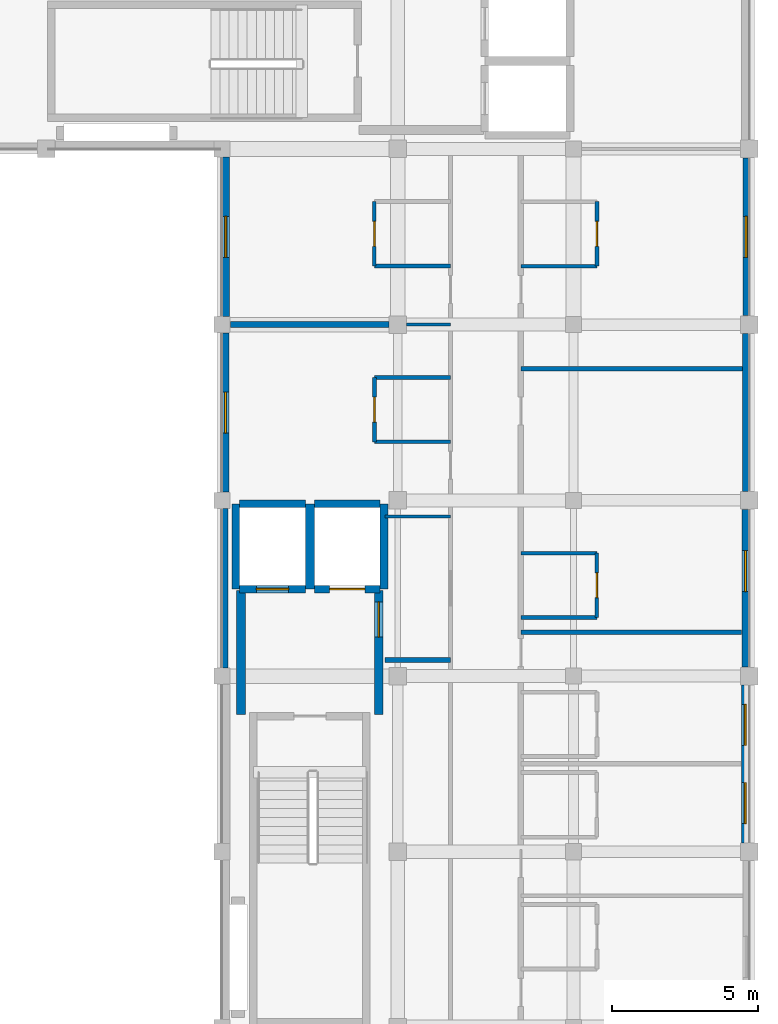
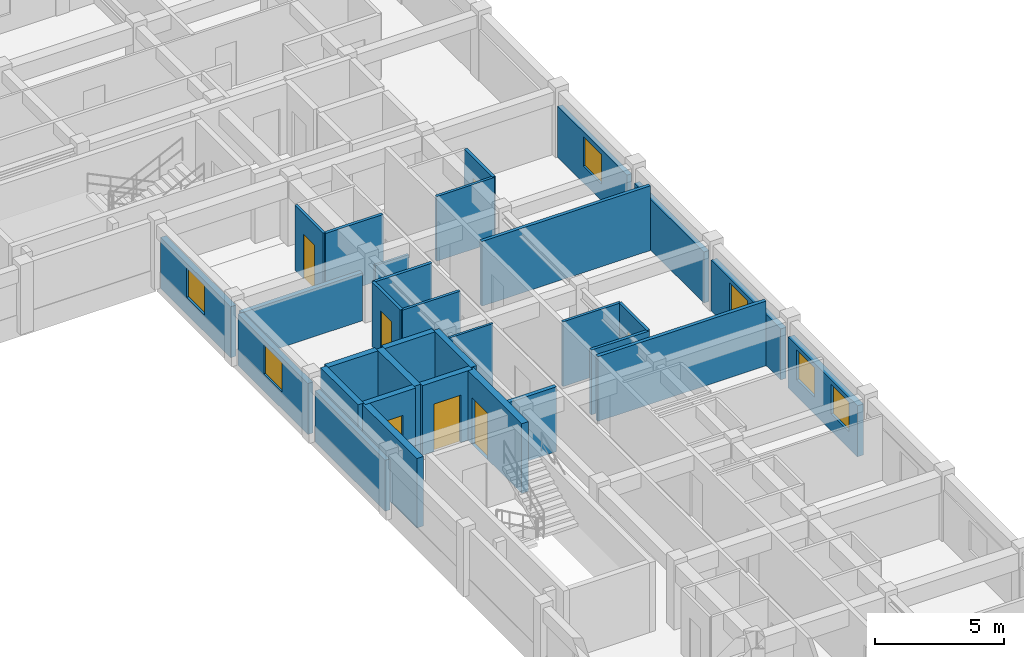
# One storey, part 7 of 21: 32 walls, 7 doors, 6 windows, 13 openings.
"""IFC4 building model written with IfcOpenShell, lengths in metres."""

from ifc_helpers import new_model, si_unit, direction, frame, frame_2d, origin, place, context, subcontext, project, spatial, rectangle, extrude, material, layer, layer_set, type_object, element, fill, save


model = new_model("IFC4")

# Units and contexts
model_context = context("Model", 3, precision=1e-05, world=origin(), true_north=direction((0.0, 1.0)))
body_context = subcontext(model_context, "Body", "Model", "MODEL_VIEW")
ifc_project = project(units=[si_unit("LENGTHUNIT", "METRE"), si_unit("AREAUNIT", "SQUARE_METRE"), si_unit("VOLUMEUNIT", "CUBIC_METRE"), si_unit("PLANEANGLEUNIT", "RADIAN"), si_unit("MASSUNIT", "GRAM", prefix="KILO"), si_unit("THERMODYNAMICTEMPERATUREUNIT", "KELVIN"), si_unit("POWERUNIT", "WATT")], contexts=[model_context])

# Site, building, storey
site_placement = place(None, origin())
site = spatial("IfcSite", under=ifc_project, at=site_placement, CompositionType="ELEMENT")
building_placement = place(site_placement, origin())
building = spatial("IfcBuilding", under=site, at=building_placement, Name="Phaisarnlok Congress Hotel", CompositionType="ELEMENT")
storey_placement = place(building_placement, frame((0.0, 0.0, 31.5)))
storey = spatial("IfcBuildingStorey", under=building, at=storey_placement, Name="L07", CompositionType="ELEMENT", Elevation=31.5)

# Wall, opening, window
ifc_material_1 = material(Name="Concrete C40/50", Category="concrete")
ifc_layer_1 = layer(ifc_material_1, 0.2099609375, Name="Concrete C40/50")
ifc_layer_set_1 = layer_set([ifc_layer_1], Name="Concrete C40/50")
wall_type_1 = type_object("IfcWallType", Name="WL-EXT-210", PredefinedType="SOLIDWALL", material=ifc_layer_set_1)
wall_1_placement = place(storey_placement, frame((179.89501953125, 102.304931640625, 0.0), z_axis=(0.0, 0.0, 1.0), x_axis=(0.0, 1.0, 0.0)))
wall_1 = element("IfcWall", 1, at=wall_1_placement, inside=storey, type_object=wall_type_1, Name="Exterior wall EW-07 (L07)", PredefinedType="SOLIDWALL", context=body_context, shape_type="SweptSolid", body=[
    extrude(rectangle(XDim=5.39013671875, YDim=0.2099609375, at=frame_2d((2.695068359375, 0.0))), origin(), (0.0, 0.0, 1.0), 2.419921875),
])
opening_1_placement = place(wall_1_placement, frame((1.9951171875, 0.0, 0.800048828125)))
opening_1 = element("IfcOpeningElement", 2, at=opening_1_placement, cuts=wall_1, Name="Opening W-13", PredefinedType="OPENING", context=body_context, shape_type="SweptSolid", body=[
    extrude(rectangle(XDim=1.39990234375, YDim=1.39990234375, at=frame_2d((0.699951171875, 0.699951171875))), frame((0.0, 0.114990234375, 0.0), z_axis=(0.0, -1.0, 0.0), x_axis=(1.0, 0.0, 0.0)), (0.0, 0.0, 1.0), 0.22998046875),
])
ifc_material_2 = material(Name="Thermally Broken Aluminium & Low-E Double Glazing", Category="aluminium")
window_type = type_object("IfcWindowType", Name="WIN-POD-1400", PartitioningType="SINGLE_PANEL", PredefinedType="WINDOW", material=ifc_material_2)
window_1_placement = place(opening_1_placement, origin())
window_1 = element("IfcWindow", 3, at=window_1_placement, inside=storey, type_object=window_type, Name="Guestroom window W-13 (L07)", OverallHeight=1.39990234375, OverallWidth=1.39990234375, PartitioningType="SINGLE_PANEL", PredefinedType="WINDOW", context=body_context, shape_type="SweptSolid", body=[
    extrude(rectangle(XDim=1.39990234375, YDim=1.39990234375, at=frame_2d((0.699951171875, 0.699951171875))), frame((0.0, 0.030029296875, 0.0), z_axis=(0.0, -1.0, 0.0), x_axis=(1.0, 0.0, 0.0)), (0.0, 0.0, 1.0), 0.06005859375),
])
fill(opening_1, window_1)

# Walls
wall_2_placement = place(storey_placement, frame((162.10498046875, 95.719970703125, 0.0), z_axis=(0.0, 0.0, 1.0), x_axis=(0.0, -1.0, 0.0)))
element("IfcWall", 4, at=wall_2_placement, inside=storey, type_object=wall_type_1, Name="Exterior wall EW-07 (L07)", PredefinedType="SOLIDWALL", context=body_context, shape_type="SweptSolid", body=[
    extrude(rectangle(XDim=5.43994140625, YDim=0.2099609375, at=frame_2d((2.719970703125, 0.0))), origin(), (0.0, 0.0, 1.0), 2.419921875),
])
ifc_layer_2 = layer(ifc_material_1, 0.22998046875, Name="Concrete C40/50")
ifc_layer_set_2 = layer_set([ifc_layer_2], Name="Concrete C40/50")
wall_type_2 = type_object("IfcWallType", Name="WL-EXT-230", PredefinedType="SOLIDWALL", material=ifc_layer_set_2)
wall_3_placement = place(storey_placement, frame((179.885009765625, 96.304931640625, 0.0), z_axis=(0.0, 0.0, 1.0), x_axis=(0.0, 1.0, 0.0)))
element("IfcWall", 5, at=wall_3_placement, inside=storey, type_object=wall_type_2, Name="Exterior wall EW-06 (L07)", PredefinedType="SOLIDWALL", context=body_context, shape_type="SweptSolid", body=[
    extrude(rectangle(XDim=5.39013671875, YDim=0.22998046875, at=frame_2d((2.695068359375, 0.0))), origin(), (0.0, 0.0, 1.0), 2.419921875),
])

# Wall, opening, window
wall_4_placement = place(storey_placement, frame((162.114990234375, 101.719970703125, 0.0), z_axis=(0.0, 0.0, 1.0), x_axis=(0.0, -1.0, 0.0)))
wall_4 = element("IfcWall", 6, at=wall_4_placement, inside=storey, type_object=wall_type_2, Name="Exterior wall EW-06 (L07)", PredefinedType="SOLIDWALL", context=body_context, shape_type="SweptSolid", body=[
    extrude(rectangle(XDim=5.43994140625, YDim=0.22998046875, at=frame_2d((2.719970703125, 0.0))), origin(), (0.0, 0.0, 1.0), 2.419921875),
])
opening_2_placement = place(wall_4_placement, frame((2.02001953125, 0.0, 0.800048828125)))
opening_2 = element("IfcOpeningElement", 7, at=opening_2_placement, cuts=wall_4, Name="Opening W-13", PredefinedType="OPENING", context=body_context, shape_type="SweptSolid", body=[
    extrude(rectangle(XDim=1.39990234375, YDim=1.39990234375, at=frame_2d((0.699951171875, 0.699951171875))), frame((0.0, 0.125, 0.0), z_axis=(0.0, -1.0, 0.0), x_axis=(1.0, 0.0, 0.0)), (0.0, 0.0, 1.0), 0.25),
])
window_2_placement = place(opening_2_placement, origin())
window_2 = element("IfcWindow", 8, at=window_2_placement, inside=storey, type_object=window_type, Name="Guestroom window W-13 (L07)", OverallHeight=1.39990234375, OverallWidth=1.39990234375, PartitioningType="SINGLE_PANEL", PredefinedType="WINDOW", context=body_context, shape_type="SweptSolid", body=[
    extrude(rectangle(XDim=1.39990234375, YDim=1.39990234375, at=frame_2d((0.699951171875, 0.699951171875))), frame((0.0, 0.030029296875, 0.0), z_axis=(0.0, -1.0, 0.0), x_axis=(1.0, 0.0, 0.0)), (0.0, 0.0, 1.0), 0.06005859375),
])
fill(opening_2, window_2)

ifc_layer_3 = layer(ifc_material_1, 0.25, Name="Concrete C40/50")
ifc_layer_set_3 = layer_set([ifc_layer_3], Name="Concrete C40/50")
wall_type_3 = type_object("IfcWallType", Name="WL-EXT-250", PredefinedType="SOLIDWALL", material=ifc_layer_set_3)
wall_5_placement = place(storey_placement, frame((179.875, 90.304931640625, 0.0), z_axis=(0.0, 0.0, 1.0), x_axis=(0.0, 1.0, 0.0)))
wall_5 = element("IfcWall", 9, at=wall_5_placement, inside=storey, type_object=wall_type_3, Name="Exterior wall EW-05 (L07)", PredefinedType="SOLIDWALL", context=body_context, shape_type="SweptSolid", body=[
    extrude(rectangle(XDim=5.39013671875, YDim=0.25, at=frame_2d((2.695068359375, 0.0))), origin(), (0.0, 0.0, 1.0), 2.419921875),
])
opening_3_placement = place(wall_5_placement, frame((2.58203125, 0.0, 0.800048828125)))
opening_3 = element("IfcOpeningElement", 10, at=opening_3_placement, cuts=wall_5, Name="Opening W-13", PredefinedType="OPENING", context=body_context, shape_type="SweptSolid", body=[
    extrude(rectangle(XDim=1.39990234375, YDim=1.39990234375, at=frame_2d((0.699951171875, 0.699951171875))), frame((0.0, 0.135009765625, 0.0), z_axis=(0.0, -1.0, 0.0), x_axis=(1.0, 0.0, 0.0)), (0.0, 0.0, 1.0), 0.27001953125),
])
window_3_placement = place(opening_3_placement, origin())
window_3 = element("IfcWindow", 11, at=window_3_placement, inside=storey, type_object=window_type, Name="Guestroom window W-13 (L07)", OverallHeight=1.39990234375, OverallWidth=1.39990234375, PartitioningType="SINGLE_PANEL", PredefinedType="WINDOW", context=body_context, shape_type="SweptSolid", body=[
    extrude(rectangle(XDim=1.39990234375, YDim=1.39990234375, at=frame_2d((0.699951171875, 0.699951171875))), frame((0.0, 0.030029296875, 0.0), z_axis=(0.0, -1.0, 0.0), x_axis=(1.0, 0.0, 0.0)), (0.0, 0.0, 1.0), 0.06005859375),
])
fill(opening_3, window_3)

wall_6_placement = place(storey_placement, frame((162.125, 107.719970703125, 0.0), z_axis=(0.0, 0.0, 1.0), x_axis=(0.0, -1.0, 0.0)))
wall_6 = element("IfcWall", 12, at=wall_6_placement, inside=storey, type_object=wall_type_3, Name="Exterior wall EW-05 (L07)", PredefinedType="SOLIDWALL", context=body_context, shape_type="SweptSolid", body=[
    extrude(rectangle(XDim=5.43994140625, YDim=0.25, at=frame_2d((2.719970703125, 0.0))), origin(), (0.0, 0.0, 1.0), 2.419921875),
])
opening_4_placement = place(wall_6_placement, frame((2.02001953125, 0.0, 0.800048828125)))
opening_4 = element("IfcOpeningElement", 13, at=opening_4_placement, cuts=wall_6, Name="Opening W-13", PredefinedType="OPENING", context=body_context, shape_type="SweptSolid", body=[
    extrude(rectangle(XDim=1.39990234375, YDim=1.39990234375, at=frame_2d((0.699951171875, 0.699951171875))), frame((0.0, 0.135009765625, 0.0), z_axis=(0.0, -1.0, 0.0), x_axis=(1.0, 0.0, 0.0)), (0.0, 0.0, 1.0), 0.27001953125),
])
window_4_placement = place(opening_4_placement, origin())
window_4 = element("IfcWindow", 14, at=window_4_placement, inside=storey, type_object=window_type, Name="Guestroom window W-13 (L07)", OverallHeight=1.39990234375, OverallWidth=1.39990234375, PartitioningType="SINGLE_PANEL", PredefinedType="WINDOW", context=body_context, shape_type="SweptSolid", body=[
    extrude(rectangle(XDim=1.39990234375, YDim=1.39990234375, at=frame_2d((0.699951171875, 0.699951171875))), frame((0.0, 0.030029296875, 0.0), z_axis=(0.0, -1.0, 0.0), x_axis=(1.0, 0.0, 0.0)), (0.0, 0.0, 1.0), 0.06005859375),
])
fill(opening_4, window_4)

# Wall, openings, windows
ifc_layer_4 = layer(ifc_material_1, 0.27001953125, Name="Concrete C40/50")
ifc_layer_set_4 = layer_set([ifc_layer_4], Name="Concrete C40/50")
wall_type_4 = type_object("IfcWallType", Name="WL-EXT-270", PredefinedType="SOLIDWALL", material=ifc_layer_set_4)
wall_7_placement = place(storey_placement, frame((179.864990234375, 84.304931640625, 0.0), z_axis=(0.0, 0.0, 1.0), x_axis=(0.0, 1.0, 0.0)))
wall_7 = element("IfcWall", 15, at=wall_7_placement, inside=storey, type_object=wall_type_4, Name="Exterior wall EW-04 (L07)", PredefinedType="SOLIDWALL", context=body_context, shape_type="SweptSolid", body=[
    extrude(rectangle(XDim=5.39013671875, YDim=0.27001953125, at=frame_2d((2.695068359375, 0.0))), origin(), (0.0, 0.0, 1.0), 2.419921875),
])
opening_5_placement = place(wall_7_placement, frame((0.656982421875, 0.0, 0.800048828125)))
opening_5 = element("IfcOpeningElement", 16, at=opening_5_placement, cuts=wall_7, Name="Opening W-13", PredefinedType="OPENING", context=body_context, shape_type="SweptSolid", body=[
    extrude(rectangle(XDim=1.39990234375, YDim=1.39990234375, at=frame_2d((0.699951171875, 0.699951171875))), frame((0.0, 0.14501953125, 0.0), z_axis=(0.0, -1.0, 0.0), x_axis=(1.0, 0.0, 0.0)), (0.0, 0.0, 1.0), 0.2900390625),
])
opening_6_placement = place(wall_7_placement, frame((3.33203125, 0.0, 0.800048828125)))
opening_6 = element("IfcOpeningElement", 17, at=opening_6_placement, cuts=wall_7, Name="Opening W-13", PredefinedType="OPENING", context=body_context, shape_type="SweptSolid", body=[
    extrude(rectangle(XDim=1.39990234375, YDim=1.39990234375, at=frame_2d((0.699951171875, 0.699951171875))), frame((0.0, 0.14501953125, 0.0), z_axis=(0.0, -1.0, 0.0), x_axis=(1.0, 0.0, 0.0)), (0.0, 0.0, 1.0), 0.2900390625),
])
window_5_placement = place(opening_5_placement, origin())
window_5 = element("IfcWindow", 18, at=window_5_placement, inside=storey, type_object=window_type, Name="Guestroom window W-13 (L07)", OverallHeight=1.39990234375, OverallWidth=1.39990234375, PartitioningType="SINGLE_PANEL", PredefinedType="WINDOW", context=body_context, shape_type="SweptSolid", body=[
    extrude(rectangle(XDim=1.39990234375, YDim=1.39990234375, at=frame_2d((0.699951171875, 0.699951171875))), frame((0.0, 0.030029296875, 0.0), z_axis=(0.0, -1.0, 0.0), x_axis=(1.0, 0.0, 0.0)), (0.0, 0.0, 1.0), 0.06005859375),
])
fill(opening_5, window_5)
window_6_placement = place(opening_6_placement, origin())
window_6 = element("IfcWindow", 19, at=window_6_placement, inside=storey, type_object=window_type, Name="Guestroom window W-13 (L07)", OverallHeight=1.39990234375, OverallWidth=1.39990234375, PartitioningType="SINGLE_PANEL", PredefinedType="WINDOW", context=body_context, shape_type="SweptSolid", body=[
    extrude(rectangle(XDim=1.39990234375, YDim=1.39990234375, at=frame_2d((0.699951171875, 0.699951171875))), frame((0.0, 0.030029296875, 0.0), z_axis=(0.0, -1.0, 0.0), x_axis=(1.0, 0.0, 0.0)), (0.0, 0.0, 1.0), 0.06005859375),
])
fill(opening_6, window_6)

# Walls
ifc_material_3 = material(Name="Service Riser Shaftwall Partition", Category="gypsum")
ifc_layer_5 = layer(ifc_material_3, 0.10498046875, Name="Service Riser Shaftwall Partition")
ifc_layer_set_5 = layer_set([ifc_layer_5], Name="Service Riser Shaftwall Partition")
wall_type_5 = type_object("IfcWallType", Name="WL-INT-105", PredefinedType="PARTITIONING", material=ifc_layer_set_5)
wall_8_placement = place(storey_placement, frame((167.56005859375, 95.449951171875, 0.0), z_axis=(0.0, 0.0, 1.0), x_axis=(1.0, 0.0, 0.0)))
element("IfcWall", 20, at=wall_8_placement, inside=storey, type_object=wall_type_5, Name="Interior partition wall IW-08 (L07)", PredefinedType="PARTITIONING", context=body_context, shape_type="SweptSolid", body=[
    extrude(rectangle(XDim=2.239990234375, YDim=0.10498046875, at=frame_2d((1.1201171875, 0.0))), origin(), (0.0, 0.0, 1.0), 3.070068359375),
])
wall_9_placement = place(storey_placement, frame((168.304931640625, 102.0, 0.0), z_axis=(0.0, 0.0, 1.0), x_axis=(1.0, 0.0, 0.0)))
element("IfcWall", 21, at=wall_9_placement, inside=storey, type_object=wall_type_5, Name="Interior partition wall IW-08 (L07)", PredefinedType="PARTITIONING", context=body_context, shape_type="SweptSolid", body=[
    extrude(rectangle(XDim=1.4951171875, YDim=0.10498046875, at=frame_2d((0.74755859375, 0.0))), origin(), (0.0, 0.0, 1.0), 2.3701171875),
])

# Wall, opening, door
ifc_material_4 = material(Name="Lightweight Metal-Stud Gypsum Partition", Category="gypsum")
ifc_layer_6 = layer(ifc_material_4, 0.1201171875, Name="Lightweight Metal-Stud Gypsum Partition")
ifc_layer_set_6 = layer_set([ifc_layer_6], Name="Lightweight Metal-Stud Gypsum Partition")
wall_type_6 = type_object("IfcWallType", Name="WL-INT-120", PredefinedType="PARTITIONING", material=ifc_layer_set_6)
wall_10_placement = place(storey_placement, frame((167.199951171875, 104.0, 0.0), z_axis=(0.0, 0.0, 1.0), x_axis=(0.0, 1.0, 0.0)))
wall_10 = element("IfcWall", 22, at=wall_10_placement, inside=storey, type_object=wall_type_6, Name="Interior partition wall IW-07 (L07)", PredefinedType="PARTITIONING", context=body_context, shape_type="SweptSolid", body=[
    extrude(rectangle(XDim=2.199951171875, YDim=0.1201171875, at=frame_2d((1.10009765625, 0.0))), origin(), (0.0, 0.0, 1.0), 3.070068359375),
])
opening_7_placement = place(wall_10_placement, frame((0.675048828125, 0.0, 0.0)))
opening_7 = element("IfcOpeningElement", 23, at=opening_7_placement, cuts=wall_10, Name="Opening D-0396", PredefinedType="OPENING", context=body_context, shape_type="SweptSolid", body=[
    extrude(rectangle(XDim=0.85009765625, YDim=2.10009765625, at=frame_2d((0.425048828125, 1.050048828125))), frame((0.0, 0.070068359375, 0.0), z_axis=(0.0, -1.0, 0.0), x_axis=(1.0, 0.0, 0.0)), (0.0, 0.0, 1.0), 0.14013671875),
])
ifc_material_5 = material(Name="Moisture-Resistant Lacquered Timber", Category="wood")
door_type_1 = type_object("IfcDoorType", Name="DR-BATH-850", OperationType="NOTDEFINED", PredefinedType="DOOR", material=ifc_material_5)
door_1_placement = place(opening_7_placement, origin())
door_1 = element("IfcDoor", 24, at=door_1_placement, inside=storey, type_object=door_type_1, Name="Interior door D-0396 (L07)", OperationType="SINGLE_SWING_RIGHT", OverallHeight=2.10009765625, OverallWidth=0.85009765625, PredefinedType="DOOR", context=body_context, shape_type="SweptSolid", body=[
    extrude(rectangle(XDim=0.85009765625, YDim=2.10009765625, at=frame_2d((0.425048828125, 1.050048828125))), frame((0.0, 0.02490234375, 0.0), z_axis=(0.0, -1.0, 0.0), x_axis=(1.0, 0.0, 0.0)), (0.0, 0.0, 1.0), 0.050048828125),
])
fill(opening_7, door_1)

wall_11_placement = place(storey_placement, frame((174.800048828125, 92.0, 0.0), z_axis=(0.0, 0.0, 1.0), x_axis=(0.0, 1.0, 0.0)))
wall_11 = element("IfcWall", 25, at=wall_11_placement, inside=storey, type_object=wall_type_6, Name="Interior partition wall IW-07 (L07)", PredefinedType="PARTITIONING", context=body_context, shape_type="SweptSolid", body=[
    extrude(rectangle(XDim=2.199951171875, YDim=0.1201171875, at=frame_2d((1.10009765625, 0.0))), origin(), (0.0, 0.0, 1.0), 3.070068359375),
])
opening_8_placement = place(wall_11_placement, frame((0.675048828125, 0.0, 0.0)))
opening_8 = element("IfcOpeningElement", 26, at=opening_8_placement, cuts=wall_11, Name="Opening D-0377", PredefinedType="OPENING", context=body_context, shape_type="SweptSolid", body=[
    extrude(rectangle(XDim=0.85009765625, YDim=2.10009765625, at=frame_2d((0.425048828125, 1.050048828125))), frame((0.0, 0.070068359375, 0.0), z_axis=(0.0, -1.0, 0.0), x_axis=(1.0, 0.0, 0.0)), (0.0, 0.0, 1.0), 0.14013671875),
])
door_2_placement = place(opening_8_placement, origin())
door_2 = element("IfcDoor", 27, at=door_2_placement, inside=storey, type_object=door_type_1, Name="Interior door D-0377 (L07)", OperationType="SINGLE_SWING_LEFT", OverallHeight=2.10009765625, OverallWidth=0.85009765625, PredefinedType="DOOR", context=body_context, shape_type="SweptSolid", body=[
    extrude(rectangle(XDim=0.85009765625, YDim=2.10009765625, at=frame_2d((0.425048828125, 1.050048828125))), frame((0.0, 0.02490234375, 0.0), z_axis=(0.0, -1.0, 0.0), x_axis=(1.0, 0.0, 0.0)), (0.0, 0.0, 1.0), 0.050048828125),
])
fill(opening_8, door_2)

# Walls
for number, where, z_axis, x_axis, name in (
    (28, (172.199951171875, 94.199951171875, 0.0), (0.0, 0.0, 1.0), (1.0, 0.0, 0.0), "Interior partition wall IW-07 (L07)"),
    (29, (167.199951171875, 98.0, 0.0), (0.0, 0.0, 1.0), (1.0, 0.0, 0.0), "Interior partition wall IW-07 (L07)"),
    (30, (172.199951171875, 104.0, 0.0), (0.0, 0.0, 1.0), (1.0, 0.0, 0.0), "Interior partition wall IW-07 (L07)"),
):
    element("IfcWall", number, at=place(storey_placement, frame(where, z_axis=z_axis, x_axis=x_axis)), inside=storey, type_object=wall_type_6, Name=name, PredefinedType="PARTITIONING", context=body_context, shape_type="SweptSolid", body=[
        extrude(rectangle(XDim=2.60009765625, YDim=0.1201171875, at=frame_2d((1.300048828125, 0.0))), origin(), (0.0, 0.0, 1.0), 3.070068359375),
    ])

# Wall, opening, door
ifc_material_6 = material(Name="Moisture-Resistant Gypsum Partition", Category="gypsum")
ifc_layer_7 = layer(ifc_material_6, 0.135009765625, Name="Moisture-Resistant Gypsum Partition")
ifc_layer_set_7 = layer_set([ifc_layer_7], Name="Moisture-Resistant Gypsum Partition")
wall_type_7 = type_object("IfcWallType", Name="WL-INT-135", PredefinedType="PARTITIONING", material=ifc_layer_set_7)
wall_12_placement = place(storey_placement, frame((167.199951171875, 98.0, 0.0), z_axis=(0.0, 0.0, 1.0), x_axis=(0.0, 1.0, 0.0)))
wall_12 = element("IfcWall", 31, at=wall_12_placement, inside=storey, type_object=wall_type_7, Name="Interior partition wall IW-06 (L07)", PredefinedType="PARTITIONING", context=body_context, shape_type="SweptSolid", body=[
    extrude(rectangle(XDim=2.199951171875, YDim=0.135009765625, at=frame_2d((1.10009765625, 0.0))), origin(), (0.0, 0.0, 1.0), 3.070068359375),
])
opening_9_placement = place(wall_12_placement, frame((0.675048828125, 0.0, 0.0)))
opening_9 = element("IfcOpeningElement", 32, at=opening_9_placement, cuts=wall_12, Name="Opening D-0394", PredefinedType="OPENING", context=body_context, shape_type="SweptSolid", body=[
    extrude(rectangle(XDim=0.85009765625, YDim=2.10009765625, at=frame_2d((0.425048828125, 1.050048828125))), frame((0.0, 0.07763671875, 0.0), z_axis=(0.0, -1.0, 0.0), x_axis=(1.0, 0.0, 0.0)), (0.0, 0.0, 1.0), 0.155029296875),
])
door_3_placement = place(opening_9_placement, origin())
door_3 = element("IfcDoor", 33, at=door_3_placement, inside=storey, type_object=door_type_1, Name="Interior door D-0394 (L07)", OperationType="SINGLE_SWING_RIGHT", OverallHeight=2.10009765625, OverallWidth=0.85009765625, PredefinedType="DOOR", context=body_context, shape_type="SweptSolid", body=[
    extrude(rectangle(XDim=0.85009765625, YDim=2.10009765625, at=frame_2d((0.425048828125, 1.050048828125))), frame((0.0, 0.02490234375, 0.0), z_axis=(0.0, -1.0, 0.0), x_axis=(1.0, 0.0, 0.0)), (0.0, 0.0, 1.0), 0.050048828125),
])
fill(opening_9, door_3)

wall_13_placement = place(storey_placement, frame((174.800048828125, 104.0, 0.0), z_axis=(0.0, 0.0, 1.0), x_axis=(0.0, 1.0, 0.0)))
wall_13 = element("IfcWall", 34, at=wall_13_placement, inside=storey, type_object=wall_type_7, Name="Interior partition wall IW-06 (L07)", PredefinedType="PARTITIONING", context=body_context, shape_type="SweptSolid", body=[
    extrude(rectangle(XDim=2.199951171875, YDim=0.135009765625, at=frame_2d((1.10009765625, 0.0))), origin(), (0.0, 0.0, 1.0), 3.070068359375),
])
opening_10_placement = place(wall_13_placement, frame((0.675048828125, 0.0, 0.0)))
opening_10 = element("IfcOpeningElement", 35, at=opening_10_placement, cuts=wall_13, Name="Opening D-0379", PredefinedType="OPENING", context=body_context, shape_type="SweptSolid", body=[
    extrude(rectangle(XDim=0.85009765625, YDim=2.10009765625, at=frame_2d((0.425048828125, 1.050048828125))), frame((0.0, 0.07763671875, 0.0), z_axis=(0.0, -1.0, 0.0), x_axis=(1.0, 0.0, 0.0)), (0.0, 0.0, 1.0), 0.155029296875),
])
door_4_placement = place(opening_10_placement, origin())
door_4 = element("IfcDoor", 36, at=door_4_placement, inside=storey, type_object=door_type_1, Name="Interior door D-0379 (L07)", OperationType="SINGLE_SWING_LEFT", OverallHeight=2.10009765625, OverallWidth=0.85009765625, PredefinedType="DOOR", context=body_context, shape_type="SweptSolid", body=[
    extrude(rectangle(XDim=0.85009765625, YDim=2.10009765625, at=frame_2d((0.425048828125, 1.050048828125))), frame((0.0, 0.02490234375, 0.0), z_axis=(0.0, -1.0, 0.0), x_axis=(1.0, 0.0, 0.0)), (0.0, 0.0, 1.0), 0.050048828125),
])
fill(opening_10, door_4)

# Walls
for number, where, z_axis, x_axis, name in (
    (37, (172.199951171875, 92.0, 0.0), (0.0, 0.0, 1.0), (1.0, 0.0, 0.0), "Interior partition wall IW-06 (L07)"),
    (38, (167.199951171875, 100.199951171875, 0.0), (0.0, 0.0, 1.0), (1.0, 0.0, 0.0), "Interior partition wall IW-06 (L07)"),
    (39, (167.199951171875, 104.0, 0.0), (0.0, 0.0, 1.0), (1.0, 0.0, 0.0), "Interior partition wall IW-06 (L07)"),
):
    element("IfcWall", number, at=place(storey_placement, frame(where, z_axis=z_axis, x_axis=x_axis)), inside=storey, type_object=wall_type_7, Name=name, PredefinedType="PARTITIONING", context=body_context, shape_type="SweptSolid", body=[
        extrude(rectangle(XDim=2.60009765625, YDim=0.135009765625, at=frame_2d((1.300048828125, 0.0))), origin(), (0.0, 0.0, 1.0), 3.070068359375),
    ])
ifc_material_7 = material(Name="Acoustic Gypsum Board & Mineral Wool", Category="gypsum")
ifc_layer_8 = layer(ifc_material_7, 0.14990234375, Name="Acoustic Gypsum Board & Mineral Wool")
ifc_layer_set_8 = layer_set([ifc_layer_8], Name="Acoustic Gypsum Board & Mineral Wool")
wall_type_8 = type_object("IfcWallType", Name="WL-INT-150", PredefinedType="PARTITIONING", material=ifc_layer_set_8)
wall_14_placement = place(storey_placement, frame((172.199951171875, 100.5, 0.0), z_axis=(0.0, 0.0, 1.0), x_axis=(1.0, 0.0, 0.0)))
element("IfcWall", 40, at=wall_14_placement, inside=storey, type_object=wall_type_8, Name="Interior partition wall IW-05 (L07)", PredefinedType="PARTITIONING", context=body_context, shape_type="SweptSolid", body=[
    extrude(rectangle(XDim=7.56494140625, YDim=0.14990234375, at=frame_2d((3.782470703125, 0.0))), origin(), (0.0, 0.0, 1.0), 3.070068359375),
])
ifc_material_8 = material(Name="Double-Stud Acoustic Gypsum Partition", Category="gypsum")
ifc_layer_9 = layer(ifc_material_8, 0.159912109375, Name="Double-Stud Acoustic Gypsum Partition")
ifc_layer_set_9 = layer_set([ifc_layer_9], Name="Double-Stud Acoustic Gypsum Partition")
wall_type_9 = type_object("IfcWallType", Name="WL-INT-160", PredefinedType="PARTITIONING", material=ifc_layer_set_9)
wall_15_placement = place(storey_placement, frame((172.199951171875, 91.5, 0.0), z_axis=(0.0, 0.0, 1.0), x_axis=(1.0, 0.0, 0.0)))
element("IfcWall", 41, at=wall_15_placement, inside=storey, type_object=wall_type_9, Name="Interior partition wall IW-04 (L07)", PredefinedType="PARTITIONING", context=body_context, shape_type="SweptSolid", body=[
    extrude(rectangle(XDim=7.545166015625, YDim=0.159912109375, at=frame_2d((3.7724609375, 0.0))), origin(), (0.0, 0.0, 1.0), 3.070068359375),
])
ifc_material_9 = material(Name="Autoclaved Aerated Concrete Block", Category="concrete")
ifc_layer_10 = layer(ifc_material_9, 0.179931640625, Name="Autoclaved Aerated Concrete Block")
ifc_layer_set_10 = layer_set([ifc_layer_10], Name="Autoclaved Aerated Concrete Block")
wall_type_10 = type_object("IfcWallType", Name="WL-INT-180", PredefinedType="PARTITIONING", material=ifc_layer_set_10)
wall_16_placement = place(storey_placement, frame((167.56005859375, 90.550048828125, 0.0), z_axis=(0.0, 0.0, 1.0), x_axis=(1.0, 0.0, 0.0)))
element("IfcWall", 42, at=wall_16_placement, inside=storey, type_object=wall_type_10, Name="Interior partition wall IW-03 (L07)", PredefinedType="PARTITIONING", context=body_context, shape_type="SweptSolid", body=[
    extrude(rectangle(XDim=2.239990234375, YDim=0.179931640625, at=frame_2d((1.1201171875, 0.0))), origin(), (0.0, 0.0, 1.0), 3.070068359375),
])
ifc_layer_11 = layer(ifc_material_9, 0.199951171875, Name="Autoclaved Aerated Concrete Block")
ifc_layer_set_11 = layer_set([ifc_layer_11], Name="Autoclaved Aerated Concrete Block")
wall_type_11 = type_object("IfcWallType", Name="WL-INT-200", PredefinedType="PARTITIONING", material=ifc_layer_set_11)
wall_17_placement = place(storey_placement, frame((162.280029296875, 102.0, 0.0), z_axis=(0.0, 0.0, 1.0), x_axis=(1.0, 0.0, 0.0)))
element("IfcWall", 43, at=wall_17_placement, inside=storey, type_object=wall_type_11, Name="Interior partition wall IW-02 (L07)", PredefinedType="PARTITIONING", context=body_context, shape_type="SweptSolid", body=[
    extrude(rectangle(XDim=5.4150390625, YDim=0.199951171875, at=frame_2d((2.70751953125, 0.0))), origin(), (0.0, 0.0, 1.0), 2.27001953125),
])
ifc_material_10 = material(Name="Concrete C50/60", Category="concrete")
ifc_layer_12 = layer(ifc_material_10, 0.260009765625, Name="Concrete C50/60")
ifc_layer_set_12 = layer_set([ifc_layer_12], Name="Concrete C50/60")
wall_type_12 = type_object("IfcWallType", Name="WL-SHR-260", PredefinedType="SHEAR", material=ifc_layer_set_12)
wall_18_placement = place(storey_placement, frame((162.469970703125, 92.969970703125, 0.0), z_axis=(0.0, 0.0, 1.0), x_axis=(0.0, 1.0, 0.0)))
element("IfcWall", 44, at=wall_18_placement, inside=storey, type_object=wall_type_12, Name="Lift shaft shear wall SW-04 (LF-HP3 L07)", PredefinedType="SHEAR", context=body_context, shape_type="SweptSolid", body=[
    extrude(rectangle(XDim=2.909912109375, YDim=0.260009765625, at=frame_2d((1.455078125, 0.0))), origin(), (0.0, 0.0, 1.0), 3.300048828125),
])
wall_19_placement = place(storey_placement, frame((162.60009765625, 95.8798828125, 0.0), z_axis=(0.0, 0.0, 1.0), x_axis=(1.0, 0.0, 0.0)))
element("IfcWall", 45, at=wall_19_placement, inside=storey, type_object=wall_type_12, Name="Lift shaft shear wall SW-04 (LF-HP3 L07)", PredefinedType="SHEAR", context=body_context, shape_type="SweptSolid", body=[
    extrude(rectangle(XDim=2.25, YDim=0.260009765625, at=frame_2d((1.125, 0.0))), origin(), (0.0, 0.0, 1.0), 3.300048828125),
])

# Wall, opening, door
wall_20_placement = place(storey_placement, frame((162.60009765625, 92.969970703125, 0.0), z_axis=(0.0, 0.0, 1.0), x_axis=(1.0, 0.0, 0.0)))
wall_20 = element("IfcWall", 46, at=wall_20_placement, inside=storey, type_object=wall_type_12, Name="Lift shaft front wall SW-04 (LF-HP3 L07)", PredefinedType="SHEAR", context=body_context, shape_type="SweptSolid", body=[
    extrude(rectangle(XDim=2.25, YDim=0.260009765625, at=frame_2d((1.125, 0.0))), origin(), (0.0, 0.0, 1.0), 3.300048828125),
])
opening_11_placement = place(wall_20_placement, frame((0.574951171875, 0.0, 0.0)))
opening_11 = element("IfcOpeningElement", 47, at=opening_11_placement, cuts=wall_20, Name="Opening LD-069", PredefinedType="OPENING", context=body_context, shape_type="SweptSolid", body=[
    extrude(rectangle(XDim=1.10009765625, YDim=2.199951171875, at=frame_2d((0.550048828125, 1.10009765625))), frame((0.0, 0.14013671875, 0.0), z_axis=(0.0, -1.0, 0.0), x_axis=(1.0, 0.0, 0.0)), (0.0, 0.0, 1.0), 0.280029296875),
])
ifc_material_11 = material(Name="Brushed Stainless Steel Grade 304", Category="steel")
door_type_2 = type_object("IfcDoorType", Name="DR-LD-1100", OperationType="DOUBLE_DOOR_SLIDING", PredefinedType="DOOR", material=ifc_material_11)
door_5_placement = place(opening_11_placement, origin())
door_5 = element("IfcDoor", 48, at=door_5_placement, inside=storey, type_object=door_type_2, Name="Lift landing sliding door LD-069 (LF-HP3 L07)", OperationType="DOUBLE_DOOR_SLIDING", OverallHeight=2.199951171875, OverallWidth=1.10009765625, PredefinedType="DOOR", context=body_context, shape_type="SweptSolid", body=[
    extrude(rectangle(XDim=1.10009765625, YDim=2.199951171875, at=frame_2d((0.550048828125, 1.10009765625))), frame((0.0, 0.02490234375, 0.0), z_axis=(0.0, -1.0, 0.0), x_axis=(1.0, 0.0, 0.0)), (0.0, 0.0, 1.0), 0.050048828125),
])
fill(opening_11, door_5)

# Walls
wall_21_placement = place(storey_placement, frame((167.530029296875, 92.969970703125, 0.0), z_axis=(0.0, 0.0, 1.0), x_axis=(0.0, 1.0, 0.0)))
element("IfcWall", 49, at=wall_21_placement, inside=storey, type_object=wall_type_12, Name="Lift shaft shear wall SW-04 (LF-SV1 L07)", PredefinedType="SHEAR", context=body_context, shape_type="SweptSolid", body=[
    extrude(rectangle(XDim=2.909912109375, YDim=0.260009765625, at=frame_2d((1.455078125, 0.0))), origin(), (0.0, 0.0, 1.0), 3.300048828125),
])
wall_22_placement = place(storey_placement, frame((165.14990234375, 95.8798828125, 0.0), z_axis=(0.0, 0.0, 1.0), x_axis=(1.0, 0.0, 0.0)))
element("IfcWall", 50, at=wall_22_placement, inside=storey, type_object=wall_type_12, Name="Lift shaft shear wall SW-04 (LF-SV1 L07)", PredefinedType="SHEAR", context=body_context, shape_type="SweptSolid", body=[
    extrude(rectangle(XDim=2.25, YDim=0.260009765625, at=frame_2d((1.125, 0.0))), origin(), (0.0, 0.0, 1.0), 3.300048828125),
])

# Wall, opening, door
wall_23_placement = place(storey_placement, frame((165.14990234375, 92.969970703125, 0.0), z_axis=(0.0, 0.0, 1.0), x_axis=(1.0, 0.0, 0.0)))
wall_23 = element("IfcWall", 51, at=wall_23_placement, inside=storey, type_object=wall_type_12, Name="Lift shaft front wall SW-04 (LF-SV1 L07)", PredefinedType="SHEAR", context=body_context, shape_type="SweptSolid", body=[
    extrude(rectangle(XDim=2.25, YDim=0.260009765625, at=frame_2d((1.125, 0.0))), origin(), (0.0, 0.0, 1.0), 3.300048828125),
])
opening_12_placement = place(wall_23_placement, frame((0.52490234375, 0.0, 0.0)))
opening_12 = element("IfcOpeningElement", 52, at=opening_12_placement, cuts=wall_23, Name="Opening LD-084", PredefinedType="OPENING", context=body_context, shape_type="SweptSolid", body=[
    extrude(rectangle(XDim=1.199951171875, YDim=2.25, at=frame_2d((0.60009765625, 1.125))), frame((0.0, 0.14013671875, 0.0), z_axis=(0.0, -1.0, 0.0), x_axis=(1.0, 0.0, 0.0)), (0.0, 0.0, 1.0), 0.280029296875),
])
door_type_3 = type_object("IfcDoorType", Name="DR-LD-1200", OperationType="DOUBLE_DOOR_SLIDING", PredefinedType="DOOR", material=ifc_material_11)
door_6_placement = place(opening_12_placement, origin())
door_6 = element("IfcDoor", 53, at=door_6_placement, inside=storey, type_object=door_type_3, Name="Lift landing sliding door LD-084 (LF-SV1 L07)", OperationType="DOUBLE_DOOR_SLIDING", OverallHeight=2.25, OverallWidth=1.199951171875, PredefinedType="DOOR", context=body_context, shape_type="SweptSolid", body=[
    extrude(rectangle(XDim=1.199951171875, YDim=2.25, at=frame_2d((0.60009765625, 1.125))), frame((0.0, 0.02490234375, 0.0), z_axis=(0.0, -1.0, 0.0), x_axis=(1.0, 0.0, 0.0)), (0.0, 0.0, 1.0), 0.050048828125),
])
fill(opening_12, door_6)

# Wall
ifc_layer_13 = layer(ifc_material_10, 0.300048828125, Name="Concrete C50/60")
ifc_layer_set_13 = layer_set([ifc_layer_13], Name="Concrete C50/60")
wall_type_13 = type_object("IfcWallType", Name="WL-SHR-300", PredefinedType="SHEAR", material=ifc_layer_set_13)
wall_24_placement = place(storey_placement, frame((165.0, 92.969970703125, 0.0), z_axis=(0.0, 0.0, 1.0), x_axis=(0.0, 1.0, 0.0)))
element("IfcWall", 54, at=wall_24_placement, inside=storey, type_object=wall_type_13, Name="Lift shaft divider shear wall SW-03 (LF-HP3 L07)", PredefinedType="SHEAR", context=body_context, shape_type="SweptSolid", body=[
    extrude(rectangle(XDim=2.909912109375, YDim=0.300048828125, at=frame_2d((1.455078125, 0.0))), origin(), (0.0, 0.0, 1.0), 3.300048828125),
])

# Wall, opening, door
wall_25_placement = place(storey_placement, frame((167.35009765625, 88.679931640625, 0.0), z_axis=(0.0, 0.0, 1.0), x_axis=(0.0, 1.0, 0.0)))
wall_25 = element("IfcWall", 55, at=wall_25_placement, inside=storey, type_object=wall_type_13, Name="Core lobby EI-120 wall SW-03 (CORE-3 L07)", PredefinedType="SHEAR", context=body_context, shape_type="SweptSolid", body=[
    extrude(rectangle(XDim=4.239990234375, YDim=0.300048828125, at=frame_2d((2.1201171875, 0.0))), origin(), (0.0, 0.0, 1.0), 3.300048828125),
])
opening_13_placement = place(wall_25_placement, frame((2.64990234375, 0.0, 0.0)))
opening_13 = element("IfcOpeningElement", 56, at=opening_13_placement, cuts=wall_25, Name="Opening FD-084", PredefinedType="OPENING", context=body_context, shape_type="SweptSolid", body=[
    extrude(rectangle(XDim=1.199951171875, YDim=2.199951171875, at=frame_2d((0.60009765625, 1.10009765625))), frame((0.0, 0.16015625, 0.0), z_axis=(0.0, -1.0, 0.0), x_axis=(1.0, 0.0, 0.0)), (0.0, 0.0, 1.0), 0.320068359375),
])
ifc_material_12 = material(Name="Fire-Rated Steel Frame & Timber Leaf", Category="steel")
door_type_4 = type_object("IfcDoorType", Name="DR-FD60-1200", OperationType="NOTDEFINED", PredefinedType="DOOR", material=ifc_material_12)
door_7_placement = place(opening_13_placement, origin())
door_7 = element("IfcDoor", 57, at=door_7_placement, inside=storey, type_object=door_type_4, Name="Core lobby entrance door FD-084 (CORE-3 L07)", OperationType="SINGLE_SWING_LEFT", OverallHeight=2.199951171875, OverallWidth=1.199951171875, PredefinedType="DOOR", context=body_context, shape_type="SweptSolid", body=[
    extrude(rectangle(XDim=1.199951171875, YDim=2.199951171875, at=frame_2d((0.60009765625, 1.10009765625))), frame((0.0, 0.02490234375, 0.0), z_axis=(0.0, -1.0, 0.0), x_axis=(1.0, 0.0, 0.0)), (0.0, 0.0, 1.0), 0.050048828125),
])
fill(opening_13, door_7)

# Wall
wall_26_placement = place(storey_placement, frame((162.64990234375, 88.679931640625, 0.0), z_axis=(0.0, 0.0, 1.0), x_axis=(0.0, 1.0, 0.0)))
element("IfcWall", 58, at=wall_26_placement, inside=storey, type_object=wall_type_13, Name="Core lobby EI-120 wall SW-03 (CORE-3 L07)", PredefinedType="SHEAR", context=body_context, shape_type="SweptSolid", body=[
    extrude(rectangle(XDim=4.239990234375, YDim=0.300048828125, at=frame_2d((2.1201171875, 0.0))), origin(), (0.0, 0.0, 1.0), 3.300048828125),
])

save(model, "model.ifc")
